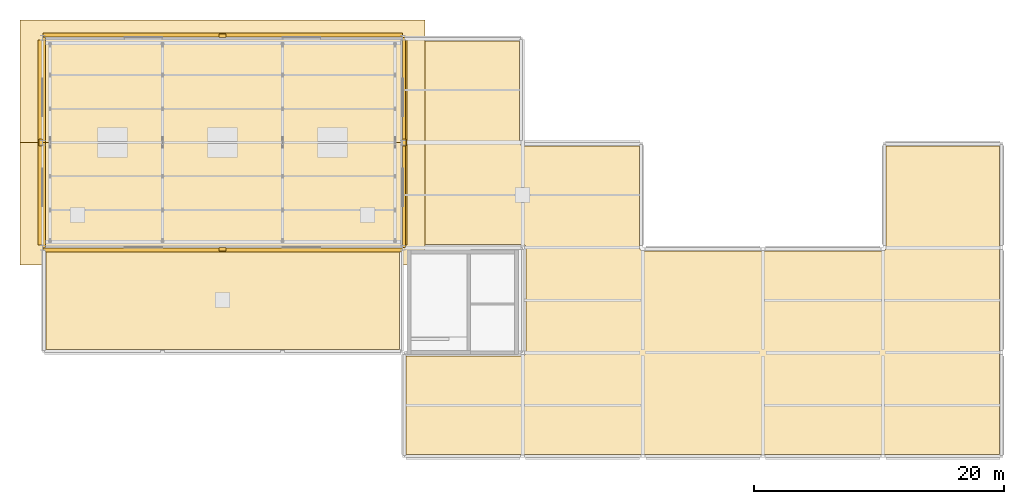
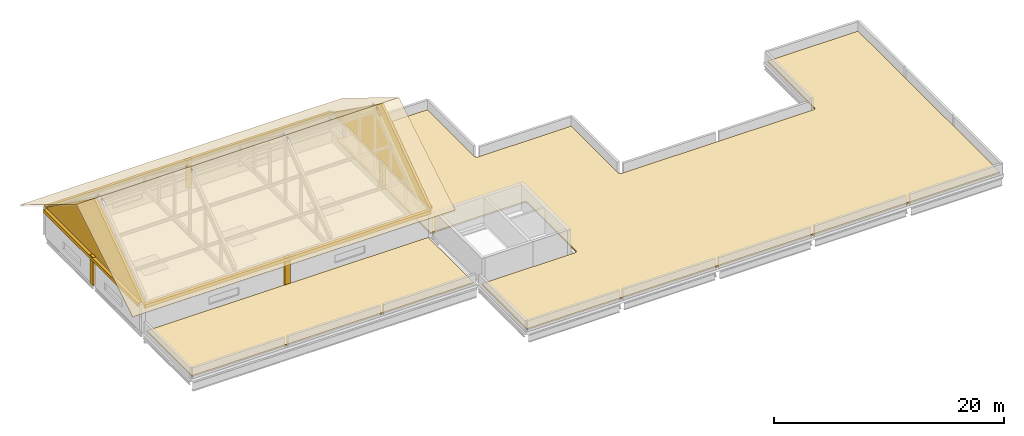
# One storey, part 10 of 10: 14 coverings.
"""IFC4 building model written with IfcOpenShell, lengths in metres."""

import ifcopenshell
import ifcopenshell.guid

model = None  # the IFC model being written
_history = None  # IfcOwnerHistory: only IFC2X3 demands one
_inside = {}  # id of a spatial element -> (the spatial element, [elements in it])
_under = {}  # id of a project, library or spatial element -> (it, [spatial elements below it])
_declared = {}  # id of a project -> (the project, [libraries it declares])
_typed = {}  # id of a type object -> (the type object, [elements of that type])
_made_of = {}  # id of a material, layer set ... -> (it, [elements and type objects made of it])


def new_model(schema):
    """Start an empty IFC model of exactly this schema.

    Asked for "IFC4X3", IfcOpenShell would pick the latest addendum, in which some entities
    have other attributes; the version numbers below select the first issue.
    IFC2X3 requires an IfcOwnerHistory on every rooted entity: one is made here for all.
    """
    global model, _history
    if schema == "IFC4X3":
        model = ifcopenshell.file(schema_version=(4, 3, 0, 0))
    else:
        model = ifcopenshell.file(schema=schema)
    _inside.clear()
    _under.clear()
    _declared.clear()
    _typed.clear()
    _made_of.clear()
    _history = None
    if model.schema == "IFC2X3":
        org = make("IfcOrganization", Name="unknown")
        user = make(
            "IfcPersonAndOrganization",
            ThePerson=make("IfcPerson", FamilyName="unknown"),
            TheOrganization=org,
        )
        app = make(
            "IfcApplication",
            ApplicationDeveloper=org,
            Version="unknown",
            ApplicationFullName="unknown",
            ApplicationIdentifier="unknown",
        )
        _history = make(
            "IfcOwnerHistory",
            OwningUser=user,
            OwningApplication=app,
            ChangeAction="ADDED",
            CreationDate=0,
        )
    return model


def make(cls, **values):
    """One entity of the class cls with the attributes given. An attribute that is None is left unset."""
    return model.create_entity(
        cls, **{name: value for name, value in values.items() if value is not None}
    )


def rooted(cls, **values):
    """An entity with a GlobalId (a new one), such as an element, a storey or a relation."""
    return make(cls, GlobalId=ifcopenshell.guid.new(), OwnerHistory=_history, **values)


def si_unit(unit_type, name, prefix=None):
    """IfcSIUnit, for example si_unit("LENGTHUNIT", "METRE", prefix="MILLI")."""
    return make("IfcSIUnit", UnitType=unit_type, Prefix=prefix, Name=name)


def assignment(units):
    """IfcUnitAssignment: the units of a project."""
    return None if units is None else make("IfcUnitAssignment", Units=units)


def point(xyz):
    """IfcCartesianPoint."""
    return None if xyz is None else make("IfcCartesianPoint", Coordinates=xyz)


def direction(xyz):
    """IfcDirection."""
    return None if xyz is None else make("IfcDirection", DirectionRatios=xyz)


def frame(location, z_axis=None, x_axis=None):
    """IfcAxis2Placement3D, a coordinate frame: its origin and axes. An axis left out is left unset."""
    return make(
        "IfcAxis2Placement3D",
        Location=point(location),
        Axis=direction(z_axis),
        RefDirection=direction(x_axis),
    )


def origin():
    """The frame at (0, 0, 0) with its axes left unset."""
    return frame((0.0, 0.0, 0.0))


def place(relative_to, where):
    """IfcLocalPlacement: puts the frame where relative to a parent placement (None: the world)."""
    return make(
        "IfcLocalPlacement", PlacementRelTo=relative_to, RelativePlacement=where
    )


def context(
    kind, dimensions, precision=None, world=None, true_north=None, identifier=None
):
    """IfcGeometricRepresentationContext, for example the 3D "Model" context."""
    return make(
        "IfcGeometricRepresentationContext",
        ContextIdentifier=identifier,
        ContextType=kind,
        CoordinateSpaceDimension=dimensions,
        Precision=precision,
        WorldCoordinateSystem=world,
        TrueNorth=true_north,
    )


def subcontext(parent, identifier, kind, view, scale=None):
    """IfcGeometricRepresentationSubContext, for example "Body" below "Model"."""
    return make(
        "IfcGeometricRepresentationSubContext",
        ContextIdentifier=identifier,
        ContextType=kind,
        ParentContext=parent,
        TargetScale=scale,
        TargetView=view,
    )


def project(units=None, contexts=None):
    """IfcProject with its units and contexts."""
    return rooted(
        "IfcProject",
        Name="project",
        RepresentationContexts=contexts,
        UnitsInContext=assignment(units),
    )


def spatial(cls, under=None, at=None, **own):
    """A site, building, storey or space (cls), placed at a placement, below another one or the project."""
    s = rooted(cls, ObjectPlacement=at, **own)
    if under is not None:
        _under.setdefault(under.id(), (under, []))[1].append(s)
    return s


def polyline(points):
    """IfcPolyline through the points."""
    return make("IfcPolyline", Points=[point(p) for p in points])


def outline(outer, holes=None, kind="AREA"):
    """IfcArbitraryClosedProfileDef: a profile drawn as a closed curve; with holes, ...WithVoids."""
    if holes is None:
        return make("IfcArbitraryClosedProfileDef", ProfileType=kind, OuterCurve=outer)
    return make(
        "IfcArbitraryProfileDefWithVoids",
        ProfileType=kind,
        OuterCurve=outer,
        InnerCurves=holes,
    )


def extrude(swept, where, along, depth):
    """IfcExtrudedAreaSolid: the profile swept, set in the frame where, extruded along a direction by depth."""
    return make(
        "IfcExtrudedAreaSolid",
        SweptArea=swept,
        Position=where,
        ExtrudedDirection=direction(along),
        Depth=depth,
    )


def shape(context_of_items, identifier, shape_type, items):
    """IfcShapeRepresentation: the items that make up one representation, for example the "Body"."""
    return make(
        "IfcShapeRepresentation",
        ContextOfItems=context_of_items,
        RepresentationIdentifier=identifier,
        RepresentationType=shape_type,
        Items=items,
    )


def material(Name=None, Category=None):
    """IfcMaterial."""
    return make("IfcMaterial", Name=Name, Category=Category)


def layer(
    of_material, thickness, ventilated=None, Name=None, Category=None, Priority=None
):
    """IfcMaterialLayer: one layer of a wall or slab, of a material (None: an air gap)."""
    return make(
        "IfcMaterialLayer",
        Material=of_material,
        LayerThickness=thickness,
        IsVentilated=ventilated,
        Name=Name,
        Category=Category,
        Priority=Priority,
    )


def layer_set(layers, Name=None):
    """IfcMaterialLayerSet."""
    return make("IfcMaterialLayerSet", MaterialLayers=layers, LayerSetName=Name)


def made_of(thing, what):
    """Note that an element or type object is made of a material, layer set ...; save() writes the relation."""
    if what is not None:
        _made_of.setdefault(what.id(), (what, []))[1].append(thing)
    return thing


def type_object(cls, material=None, **own):
    """A type object (cls), such as IfcWallType, which elements share."""
    return made_of(rooted(cls, **own), material)


def element(
    cls,
    number,
    at=None,
    inside=None,
    cuts=None,
    type_object=None,
    material=None,
    context=None,
    identifier="Body",
    shape_type=None,
    held_by="IfcProductDefinitionShape",
    body=None,
    shapes=None,
    **own,
):
    """One element of the class cls, such as IfcWall. Its Tag is "e" and its number.

    at: its placement. inside: the storey or other place that contains it. cuts: it is an
    opening in that element (IfcRelVoidsElement). A single representation is given by context,
    identifier, shape_type and body (its items); several are given by shapes. held_by: the class
    of the entity that holds the representations. save() writes the other relations.
    """
    e = rooted(cls, Tag="e%d" % number, ObjectPlacement=at, **own)
    if body is not None:
        shapes = [shape(context, identifier, shape_type, body)]
    if shapes is not None:
        e.Representation = make(held_by, Representations=shapes)
    if inside is not None:
        _inside.setdefault(inside.id(), (inside, []))[1].append(e)
    if cuts is not None:
        rooted(
            "IfcRelVoidsElement", RelatingBuildingElement=cuts, RelatedOpeningElement=e
        )
    if type_object is not None:
        _typed.setdefault(type_object.id(), (type_object, []))[1].append(e)
    return made_of(e, material)


def aggregate(whole, parts):
    """IfcRelAggregates: a whole, such as a stair, and the parts it consists of."""
    return rooted("IfcRelAggregates", RelatingObject=whole, RelatedObjects=parts)


def save(model, path):
    """Write the relations noted so far, then the file.

    IfcRelAggregates (storeys below a building ...), IfcRelContainedInSpatialStructure (elements
    in a storey), IfcRelDefinesByType, IfcRelAssociatesMaterial and IfcRelDeclares: one each for
    every whole, place, type object, material and project.
    """
    for whole, parts in _under.values():
        aggregate(whole, parts)
    for where, things in _inside.values():
        rooted(
            "IfcRelContainedInSpatialStructure",
            RelatedElements=things,
            RelatingStructure=where,
        )
    for kind, things in _typed.values():
        rooted("IfcRelDefinesByType", RelatedObjects=things, RelatingType=kind)
    for what, things in _made_of.values():
        rooted("IfcRelAssociatesMaterial", RelatedObjects=things, RelatingMaterial=what)
    for by, libraries in _declared.values():
        rooted("IfcRelDeclares", RelatingContext=by, RelatedDefinitions=libraries)
    model.write(path)


model = new_model("IFC4")

# Units and contexts
model_context = context("Model", 3, precision=1e-05, world=origin(), true_north=direction((0.0, 1.0)))
body_context = subcontext(model_context, "Body", "Model", "MODEL_VIEW")
ifc_project = project(units=[si_unit("LENGTHUNIT", "METRE"), si_unit("AREAUNIT", "SQUARE_METRE"), si_unit("VOLUMEUNIT", "CUBIC_METRE"), si_unit("PLANEANGLEUNIT", "RADIAN"), si_unit("MASSUNIT", "GRAM", prefix="KILO")], contexts=[model_context])

# Site, building, storey
site_placement = place(None, origin())
site = spatial("IfcSite", under=ifc_project, at=site_placement, CompositionType="ELEMENT")
building_placement = place(site_placement, origin())
building = spatial("IfcBuilding", under=site, at=building_placement, Name="Lornevale Opera House", CompositionType="ELEMENT")
storey_placement = place(building_placement, frame((0.0, 0.0, 31.199951171875)))
storey = spatial("IfcBuildingStorey", under=building, at=storey_placement, Name="RF", CompositionType="ELEMENT", Elevation=31.199951171875)

# Coverings
ifc_material_1 = material(Name="Vegetated Extensive Green Roof Assembly")
ifc_layer_1 = layer(ifc_material_1, 0.159912109375)
ifc_layer_set_1 = layer_set([ifc_layer_1], Name="Vegetated Extensive Green Roof Assembly")
covering_type_1 = type_object("IfcCoveringType", Name="Chapter 492 Green Roof Covering", PredefinedType="ROOFING", material=ifc_layer_set_1)
covering_1_placement = place(storey_placement, origin())
element("IfcCovering", 1, at=covering_1_placement, inside=storey, type_object=covering_type_1, Name="Chapter 492 Green Roof Covering 0573", PredefinedType="ROOFING", context=body_context, shape_type="SweptSolid", body=[
    extrude(outline(polyline([(105.860107421875, 67.199951171875), (105.85888671875, 67.22509765625), (105.85498046875, 67.2509765625), (105.84912109375, 67.27490234375), (105.840087890625, 67.299072265625), (105.8291015625, 67.322998046875), (105.81591796875, 67.343994140625), (105.801025390625, 67.364990234375), (105.783935546875, 67.384033203125), (105.764892578125, 67.40087890625), (105.743896484375, 67.416015625), (105.722900390625, 67.428955078125), (105.698974609375, 67.43994140625), (105.675048828125, 67.448974609375), (105.65087890625, 67.455078125), (105.625, 67.458984375), (105.60009765625, 67.4599609375), (96.260009765625, 67.4599609375), (96.260009765625, 83.739990234375), (105.340087890625, 83.739990234375), (105.340087890625, 75.60009765625), (105.341064453125, 75.574951171875), (105.344970703125, 75.549072265625), (105.35107421875, 75.52490234375), (105.360107421875, 75.5009765625), (105.37109375, 75.47705078125), (105.384033203125, 75.4560546875), (105.39892578125, 75.43505859375), (105.416015625, 75.416015625), (105.43505859375, 75.39892578125), (105.4560546875, 75.384033203125), (105.47705078125, 75.37109375), (105.5009765625, 75.360107421875), (105.52490234375, 75.35107421875), (105.549072265625, 75.344970703125), (105.574951171875, 75.341064453125), (105.60009765625, 75.340087890625), (114.93994140625, 75.340087890625), (114.93994140625, 67.199951171875), (114.94091796875, 67.175048828125), (114.945068359375, 67.14892578125), (114.950927734375, 67.125), (114.9599609375, 67.10107421875), (114.970947265625, 67.076904296875), (114.98388671875, 67.055908203125), (114.9990234375, 67.034912109375), (115.01611328125, 67.01611328125), (115.034912109375, 66.9990234375), (115.055908203125, 66.98388671875), (115.076904296875, 66.970947265625), (115.10107421875, 66.9599609375), (115.125, 66.950927734375), (115.14892578125, 66.945068359375), (115.175048828125, 66.94091796875), (115.199951171875, 66.93994140625), (134.39990234375, 66.93994140625), (134.425048828125, 66.94091796875), (134.450927734375, 66.945068359375), (134.47509765625, 66.950927734375), (134.4990234375, 66.9599609375), (134.52294921875, 66.970947265625), (134.5439453125, 66.98388671875), (134.56494140625, 66.9990234375), (134.583984375, 67.01611328125), (134.60107421875, 67.034912109375), (134.615966796875, 67.055908203125), (134.62890625, 67.076904296875), (134.639892578125, 67.10107421875), (134.64892578125, 67.125), (134.655029296875, 67.14892578125), (134.658935546875, 67.175048828125), (134.659912109375, 67.199951171875), (134.659912109375, 75.340087890625), (143.739990234375, 75.340087890625), (143.739990234375, 50.659912109375), (96.260009765625, 50.659912109375), (96.260009765625, 58.5400390625), (105.60009765625, 58.5400390625), (105.625, 58.541015625), (105.65087890625, 58.544921875), (105.675048828125, 58.551025390625), (105.698974609375, 58.56005859375), (105.722900390625, 58.571044921875), (105.743896484375, 58.583984375), (105.764892578125, 58.59912109375), (105.783935546875, 58.615966796875), (105.801025390625, 58.635009765625), (105.81591796875, 58.656005859375), (105.8291015625, 58.677001953125), (105.840087890625, 58.700927734375), (105.84912109375, 58.72509765625), (105.85498046875, 58.7490234375), (105.85888671875, 58.77490234375), (105.860107421875, 58.800048828125), (105.860107421875, 67.199951171875)])), origin(), (0.0, 0.0, 1.0), 0.16015625),
])
covering_2_placement = place(storey_placement, origin())
element("IfcCovering", 2, at=covering_2_placement, inside=storey, type_object=covering_type_1, Name="Chapter 492 Green Roof Covering 0574", PredefinedType="ROOFING", context=body_context, shape_type="SweptSolid", body=[
    extrude(outline(polyline([(95.739990234375, 66.93994140625), (95.739990234375, 59.06005859375), (67.4599609375, 59.06005859375), (67.4599609375, 66.93994140625), (95.739990234375, 66.93994140625)])), origin(), (0.0, 0.0, 1.0), 0.16015625),
])
ifc_material_2 = material(Name="Standing-Seam Patinated Copper Roofing", Category="metal")
ifc_layer_2 = layer(ifc_material_2, 0.0400390625)
ifc_layer_set_2 = layer_set([ifc_layer_2], Name="Standing-Seam Patinated Copper Roofing")
covering_type_2 = type_object("IfcCoveringType", Name="Patinated Copper Roof Cladding", PredefinedType="ROOFING", material=ifc_layer_set_2)
covering_3_placement = place(storey_placement, frame((65.39990234375, 65.800048828125, 3.0400390625), z_axis=(0.0, -0.522151967348, 0.852852462619), x_axis=(1.0, 0.0, 0.0)))
element("IfcCovering", 3, at=covering_3_placement, inside=storey, type_object=covering_type_2, Name="Fly Tower Copper Cladding 0546", PredefinedType="ROOFING", context=body_context, shape_type="SweptSolid", body=[
    extrude(outline(polyline([(0.0, 0.0), (32.400146484375, 0.0), (32.400146484375, 11.490907580936947), (0.0, 11.490907580936947), (0.0, 0.0)])), origin(), (0.0, 0.0, -1.0), 0.0400390625),
])
covering_4_placement = place(storey_placement, frame((65.39990234375, 75.60009765625, 9.0400390625), z_axis=(0.0, 0.522161428912, 0.852846669781), x_axis=(1.0, 0.0, 0.0)))
element("IfcCovering", 4, at=covering_4_placement, inside=storey, type_object=covering_type_2, Name="Fly Tower Copper Cladding 0547", PredefinedType="ROOFING", context=body_context, shape_type="SweptSolid", body=[
    extrude(outline(polyline([(0.0, 0.0), (32.400146484375, 0.0), (32.400146484375, 11.490699365710817), (0.0, 11.490699365710817), (0.0, 0.0)])), origin(), (0.0, 0.0, -1.0), 0.0400390625),
])
ifc_material_3 = material(Name="Precast Concrete 40 MPa (CSA A23.1 C-1)", Category="concrete")
ifc_layer_3 = layer(ifc_material_3, 0.260009765625)
ifc_layer_set_3 = layer_set([ifc_layer_3], Name="Precast Concrete 40 MPa (CSA A23.1 C-1)")
covering_type_3 = type_object("IfcCoveringType", Name="Postmodern Sandstone Pilaster Rib", PredefinedType="CLADDING", material=ifc_layer_set_3)
covering_5_placement = place(storey_placement, origin())
element("IfcCovering", 5, at=covering_5_placement, inside=storey, type_object=covering_type_3, Name="Fly Tower Crown Pilaster 0524", PredefinedType="CLADDING", context=body_context, shape_type="SweptSolid", body=[
    extrude(outline(polyline([(81.8798828125, 67.199951171875), (81.320068359375, 67.199951171875), (81.320068359375, 66.919921875), (81.8798828125, 66.919921875), (81.8798828125, 67.199951171875)])), origin(), (0.0, 0.0, 1.0), 3.0),
])
covering_6_placement = place(storey_placement, origin())
element("IfcCovering", 6, at=covering_6_placement, inside=storey, type_object=covering_type_3, Name="Fly Tower Crown Pilaster 0526", PredefinedType="CLADDING", context=body_context, shape_type="SweptSolid", body=[
    extrude(outline(polyline([(67.199951171875, 75.320068359375), (67.199951171875, 75.8798828125), (66.919921875, 75.8798828125), (66.919921875, 75.320068359375), (67.199951171875, 75.320068359375)])), origin(), (0.0, 0.0, 1.0), 3.0),
])
covering_7_placement = place(storey_placement, origin())
element("IfcCovering", 7, at=covering_7_placement, inside=storey, type_object=covering_type_3, Name="Fly Tower Crown Pilaster 0528", PredefinedType="CLADDING", context=body_context, shape_type="SweptSolid", body=[
    extrude(outline(polyline([(81.320068359375, 84.0), (81.8798828125, 84.0), (81.8798828125, 84.280029296875), (81.320068359375, 84.280029296875), (81.320068359375, 84.0)])), origin(), (0.0, 0.0, 1.0), 3.0),
])
covering_8_placement = place(storey_placement, origin())
element("IfcCovering", 8, at=covering_8_placement, inside=storey, type_object=covering_type_3, Name="Fly Tower Crown Pilaster 0530", PredefinedType="CLADDING", context=body_context, shape_type="SweptSolid", body=[
    extrude(outline(polyline([(96.0, 75.8798828125), (96.0, 75.320068359375), (96.280029296875, 75.320068359375), (96.280029296875, 75.8798828125), (96.0, 75.8798828125)])), origin(), (0.0, 0.0, 1.0), 3.0),
])
ifc_material_4 = material(Name="Queenston Buff Limestone Ashlar Masonry (25 MPa)", Category="masonry")
ifc_layer_4 = layer(ifc_material_4, 0.1201171875)
ifc_layer_set_4 = layer_set([ifc_layer_4], Name="Queenston Buff Limestone Ashlar Masonry (25 MPa)")
covering_type_4 = type_object("IfcCoveringType", Name="Precast Limestone Cornice Band", PredefinedType="CLADDING", material=ifc_layer_set_4)
covering_9_placement = place(storey_placement, frame((0.0, 0.0, 2.650146484375)))
element("IfcCovering", 9, at=covering_9_placement, inside=storey, type_object=covering_type_4, Name="Fly Tower Eave Cornice 0525", PredefinedType="CLADDING", context=body_context, shape_type="SweptSolid", body=[
    extrude(outline(polyline([(95.97998046875, 67.14990234375), (67.219970703125, 67.14990234375), (67.219970703125, 66.85009765625), (95.97998046875, 66.85009765625), (95.97998046875, 67.14990234375)])), origin(), (0.0, 0.0, 1.0), 0.349853515625),
])
covering_10_placement = place(storey_placement, frame((0.0, 0.0, 2.650146484375)))
element("IfcCovering", 10, at=covering_10_placement, inside=storey, type_object=covering_type_4, Name="Fly Tower Eave Cornice 0527", PredefinedType="CLADDING", context=body_context, shape_type="SweptSolid", body=[
    extrude(outline(polyline([(67.14990234375, 67.389892578125), (67.14990234375, 83.81005859375), (66.85009765625, 83.81005859375), (66.85009765625, 67.389892578125), (67.14990234375, 67.389892578125)])), origin(), (0.0, 0.0, 1.0), 0.349853515625),
])
covering_11_placement = place(storey_placement, frame((0.0, 0.0, 2.650146484375)))
element("IfcCovering", 11, at=covering_11_placement, inside=storey, type_object=covering_type_4, Name="Fly Tower Eave Cornice 0529", PredefinedType="CLADDING", context=body_context, shape_type="SweptSolid", body=[
    extrude(outline(polyline([(67.219970703125, 84.050048828125), (95.97998046875, 84.050048828125), (95.97998046875, 84.35009765625), (67.219970703125, 84.35009765625), (67.219970703125, 84.050048828125)])), origin(), (0.0, 0.0, 1.0), 0.349853515625),
])
covering_12_placement = place(storey_placement, frame((0.0, 0.0, 2.650146484375)))
element("IfcCovering", 12, at=covering_12_placement, inside=storey, type_object=covering_type_4, Name="Fly Tower Eave Cornice 0531", PredefinedType="CLADDING", context=body_context, shape_type="SweptSolid", body=[
    extrude(outline(polyline([(96.050048828125, 83.81005859375), (96.050048828125, 67.389892578125), (96.35009765625, 67.389892578125), (96.35009765625, 83.81005859375), (96.050048828125, 83.81005859375)])), origin(), (0.0, 0.0, 1.0), 0.349853515625),
])
for number, where, z_axis, x_axis, name in (
    (13, (67.199951171875, 67.199951171875, 3.0), (-1.0, 0.0, 0.0), (0.0, 0.813738265173, 0.581231482108), "Fly Tower Precast Gable Tympanum 0548"),
    (14, (96.0, 67.199951171875, 3.0), (-1.0, 0.0, 0.0), (0.0, 0.813738265173, 0.581231482108), "Fly Tower Precast Gable Tympanum 0549"),
):
    element("IfcCovering", number, at=place(storey_placement, frame(where, z_axis=z_axis, x_axis=x_axis)), inside=storey, type_object=covering_type_4, Name=name, PredefinedType="CLADDING", context=body_context, shape_type="SweptSolid", body=[
        extrude(outline(polyline([(0.0, 0.0), (10.322909520041222, 0.0), (13.670842588218195, 9.764717279857306), (0.0, 0.0)])), origin(), (0.0, 0.0, -1.0), 0.239990234375),
    ])

save(model, "model.ifc")
